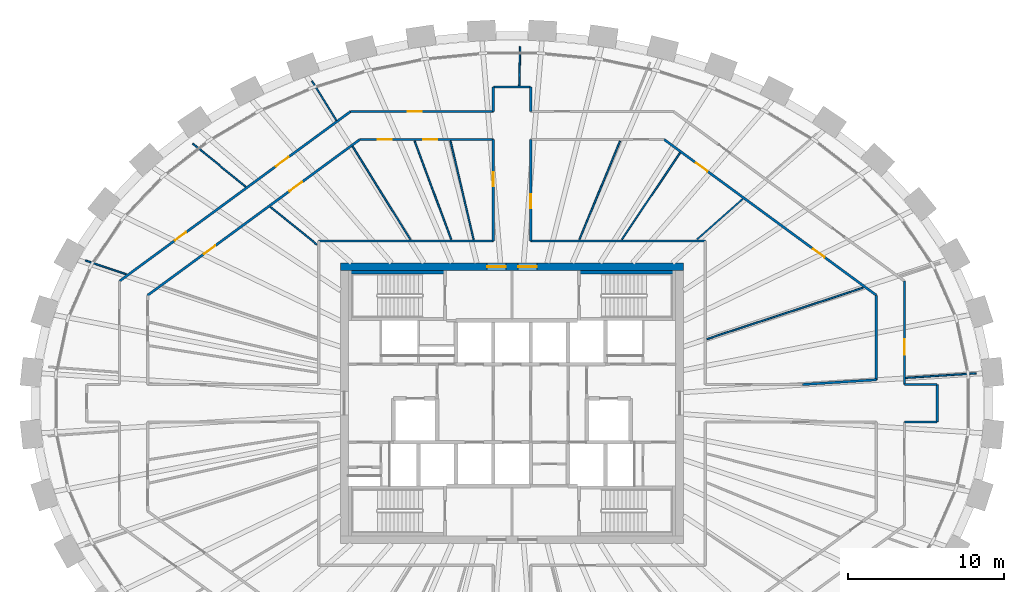
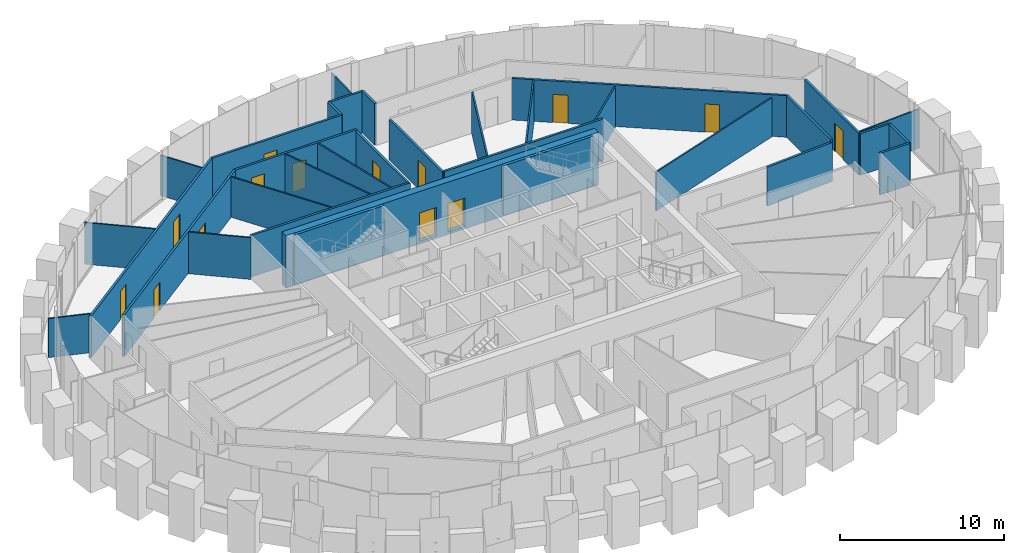
# One storey, part 10 of 12: 34 walls, 14 doors, 14 openings.
"""IFC4 building model written with IfcOpenShell, lengths in metres."""

import ifcopenshell
import ifcopenshell.guid

model = None  # the IFC model being written
_history = None  # IfcOwnerHistory: only IFC2X3 demands one
_inside = {}  # id of a spatial element -> (the spatial element, [elements in it])
_under = {}  # id of a project, library or spatial element -> (it, [spatial elements below it])
_declared = {}  # id of a project -> (the project, [libraries it declares])
_typed = {}  # id of a type object -> (the type object, [elements of that type])
_made_of = {}  # id of a material, layer set ... -> (it, [elements and type objects made of it])


def new_model(schema):
    """Start an empty IFC model of exactly this schema.

    Asked for "IFC4X3", IfcOpenShell would pick the latest addendum, in which some entities
    have other attributes; the version numbers below select the first issue.
    IFC2X3 requires an IfcOwnerHistory on every rooted entity: one is made here for all.
    """
    global model, _history
    if schema == "IFC4X3":
        model = ifcopenshell.file(schema_version=(4, 3, 0, 0))
    else:
        model = ifcopenshell.file(schema=schema)
    _inside.clear()
    _under.clear()
    _declared.clear()
    _typed.clear()
    _made_of.clear()
    _history = None
    if model.schema == "IFC2X3":
        org = make("IfcOrganization", Name="unknown")
        user = make(
            "IfcPersonAndOrganization",
            ThePerson=make("IfcPerson", FamilyName="unknown"),
            TheOrganization=org,
        )
        app = make(
            "IfcApplication",
            ApplicationDeveloper=org,
            Version="unknown",
            ApplicationFullName="unknown",
            ApplicationIdentifier="unknown",
        )
        _history = make(
            "IfcOwnerHistory",
            OwningUser=user,
            OwningApplication=app,
            ChangeAction="ADDED",
            CreationDate=0,
        )
    return model


def make(cls, **values):
    """One entity of the class cls with the attributes given. An attribute that is None is left unset."""
    return model.create_entity(
        cls, **{name: value for name, value in values.items() if value is not None}
    )


def rooted(cls, **values):
    """An entity with a GlobalId (a new one), such as an element, a storey or a relation."""
    return make(cls, GlobalId=ifcopenshell.guid.new(), OwnerHistory=_history, **values)


def si_unit(unit_type, name, prefix=None):
    """IfcSIUnit, for example si_unit("LENGTHUNIT", "METRE", prefix="MILLI")."""
    return make("IfcSIUnit", UnitType=unit_type, Prefix=prefix, Name=name)


def assignment(units):
    """IfcUnitAssignment: the units of a project."""
    return None if units is None else make("IfcUnitAssignment", Units=units)


def point(xyz):
    """IfcCartesianPoint."""
    return None if xyz is None else make("IfcCartesianPoint", Coordinates=xyz)


def direction(xyz):
    """IfcDirection."""
    return None if xyz is None else make("IfcDirection", DirectionRatios=xyz)


def frame(location, z_axis=None, x_axis=None):
    """IfcAxis2Placement3D, a coordinate frame: its origin and axes. An axis left out is left unset."""
    return make(
        "IfcAxis2Placement3D",
        Location=point(location),
        Axis=direction(z_axis),
        RefDirection=direction(x_axis),
    )


def frame_2d(location, x_axis=None):
    """IfcAxis2Placement2D, a coordinate frame in the plane: its origin and x axis."""
    return make(
        "IfcAxis2Placement2D", Location=point(location), RefDirection=direction(x_axis)
    )


def origin():
    """The frame at (0, 0, 0) with its axes left unset."""
    return frame((0.0, 0.0, 0.0))


def place(relative_to, where):
    """IfcLocalPlacement: puts the frame where relative to a parent placement (None: the world)."""
    return make(
        "IfcLocalPlacement", PlacementRelTo=relative_to, RelativePlacement=where
    )


def context(
    kind, dimensions, precision=None, world=None, true_north=None, identifier=None
):
    """IfcGeometricRepresentationContext, for example the 3D "Model" context."""
    return make(
        "IfcGeometricRepresentationContext",
        ContextIdentifier=identifier,
        ContextType=kind,
        CoordinateSpaceDimension=dimensions,
        Precision=precision,
        WorldCoordinateSystem=world,
        TrueNorth=true_north,
    )


def subcontext(parent, identifier, kind, view, scale=None):
    """IfcGeometricRepresentationSubContext, for example "Body" below "Model"."""
    return make(
        "IfcGeometricRepresentationSubContext",
        ContextIdentifier=identifier,
        ContextType=kind,
        ParentContext=parent,
        TargetScale=scale,
        TargetView=view,
    )


def project(units=None, contexts=None):
    """IfcProject with its units and contexts."""
    return rooted(
        "IfcProject",
        Name="project",
        RepresentationContexts=contexts,
        UnitsInContext=assignment(units),
    )


def spatial(cls, under=None, at=None, **own):
    """A site, building, storey or space (cls), placed at a placement, below another one or the project."""
    s = rooted(cls, ObjectPlacement=at, **own)
    if under is not None:
        _under.setdefault(under.id(), (under, []))[1].append(s)
    return s


def profile(cls, at=None, kind="AREA", **sizes):
    """A parametric profile (cls). Its sizes go by their IFC names, for example OverallWidth=200.0."""
    return make(cls, ProfileType=kind, Position=at, **sizes)


def rectangle(**sizes):
    """IfcRectangleProfileDef."""
    return profile("IfcRectangleProfileDef", **sizes)


def extrude(swept, where, along, depth):
    """IfcExtrudedAreaSolid: the profile swept, set in the frame where, extruded along a direction by depth."""
    return make(
        "IfcExtrudedAreaSolid",
        SweptArea=swept,
        Position=where,
        ExtrudedDirection=direction(along),
        Depth=depth,
    )


def shape(context_of_items, identifier, shape_type, items):
    """IfcShapeRepresentation: the items that make up one representation, for example the "Body"."""
    return make(
        "IfcShapeRepresentation",
        ContextOfItems=context_of_items,
        RepresentationIdentifier=identifier,
        RepresentationType=shape_type,
        Items=items,
    )


def source(mapping_origin, context_of_items, identifier, shape_type, items):
    """IfcRepresentationMap: a shape defined once, which mapped items show again and again."""
    return make(
        "IfcRepresentationMap",
        MappingOrigin=mapping_origin,
        MappedRepresentation=shape(context_of_items, identifier, shape_type, items),
    )


def transform(
    local_origin,
    x_axis=None,
    y_axis=None,
    z_axis=None,
    scale=None,
    scale2=None,
    scale3=None,
    uniform=True,
):
    """IfcCartesianTransformationOperator3D, or its non-uniform kind. x_axis, y_axis, z_axis: its Axis1, 2, 3."""
    if uniform:
        return make(
            "IfcCartesianTransformationOperator3D",
            Axis1=direction(x_axis),
            Axis2=direction(y_axis),
            LocalOrigin=point(local_origin),
            Scale=scale,
            Axis3=direction(z_axis),
        )
    return make(
        "IfcCartesianTransformationOperator3DnonUniform",
        Axis1=direction(x_axis),
        Axis2=direction(y_axis),
        LocalOrigin=point(local_origin),
        Scale=scale,
        Axis3=direction(z_axis),
        Scale2=scale2,
        Scale3=scale3,
    )


def mapped(mapping_source, mapping_target):
    """IfcMappedItem: shows the shape of a source again, moved by a transform."""
    return make(
        "IfcMappedItem", MappingSource=mapping_source, MappingTarget=mapping_target
    )


def material(Name=None, Category=None):
    """IfcMaterial."""
    return make("IfcMaterial", Name=Name, Category=Category)


def layer(
    of_material, thickness, ventilated=None, Name=None, Category=None, Priority=None
):
    """IfcMaterialLayer: one layer of a wall or slab, of a material (None: an air gap)."""
    return make(
        "IfcMaterialLayer",
        Material=of_material,
        LayerThickness=thickness,
        IsVentilated=ventilated,
        Name=Name,
        Category=Category,
        Priority=Priority,
    )


def layer_set(layers, Name=None):
    """IfcMaterialLayerSet."""
    return make("IfcMaterialLayerSet", MaterialLayers=layers, LayerSetName=Name)


def made_of(thing, what):
    """Note that an element or type object is made of a material, layer set ...; save() writes the relation."""
    if what is not None:
        _made_of.setdefault(what.id(), (what, []))[1].append(thing)
    return thing


def type_object(cls, material=None, **own):
    """A type object (cls), such as IfcWallType, which elements share."""
    return made_of(rooted(cls, **own), material)


def element(
    cls,
    number,
    at=None,
    inside=None,
    cuts=None,
    type_object=None,
    material=None,
    context=None,
    identifier="Body",
    shape_type=None,
    held_by="IfcProductDefinitionShape",
    body=None,
    shapes=None,
    **own,
):
    """One element of the class cls, such as IfcWall. Its Tag is "e" and its number.

    at: its placement. inside: the storey or other place that contains it. cuts: it is an
    opening in that element (IfcRelVoidsElement). A single representation is given by context,
    identifier, shape_type and body (its items); several are given by shapes. held_by: the class
    of the entity that holds the representations. save() writes the other relations.
    """
    e = rooted(cls, Tag="e%d" % number, ObjectPlacement=at, **own)
    if body is not None:
        shapes = [shape(context, identifier, shape_type, body)]
    if shapes is not None:
        e.Representation = make(held_by, Representations=shapes)
    if inside is not None:
        _inside.setdefault(inside.id(), (inside, []))[1].append(e)
    if cuts is not None:
        rooted(
            "IfcRelVoidsElement", RelatingBuildingElement=cuts, RelatedOpeningElement=e
        )
    if type_object is not None:
        _typed.setdefault(type_object.id(), (type_object, []))[1].append(e)
    return made_of(e, material)


def fill(opening, filler):
    """IfcRelFillsElement: the door or window that sits in an opening."""
    return rooted(
        "IfcRelFillsElement",
        RelatingOpeningElement=opening,
        RelatedBuildingElement=filler,
    )


def aggregate(whole, parts):
    """IfcRelAggregates: a whole, such as a stair, and the parts it consists of."""
    return rooted("IfcRelAggregates", RelatingObject=whole, RelatedObjects=parts)


def save(model, path):
    """Write the relations noted so far, then the file.

    IfcRelAggregates (storeys below a building ...), IfcRelContainedInSpatialStructure (elements
    in a storey), IfcRelDefinesByType, IfcRelAssociatesMaterial and IfcRelDeclares: one each for
    every whole, place, type object, material and project.
    """
    for whole, parts in _under.values():
        aggregate(whole, parts)
    for where, things in _inside.values():
        rooted(
            "IfcRelContainedInSpatialStructure",
            RelatedElements=things,
            RelatingStructure=where,
        )
    for kind, things in _typed.values():
        rooted("IfcRelDefinesByType", RelatedObjects=things, RelatingType=kind)
    for what, things in _made_of.values():
        rooted("IfcRelAssociatesMaterial", RelatedObjects=things, RelatingMaterial=what)
    for by, libraries in _declared.values():
        rooted("IfcRelDeclares", RelatingContext=by, RelatedDefinitions=libraries)
    model.write(path)


model = new_model("IFC4")

# Units and contexts
model_context = context("Model", 3, precision=1e-05, world=origin(), true_north=direction((0.0, 1.0)))
body_context = subcontext(model_context, "Body", "Model", "MODEL_VIEW")
ifc_project = project(units=[si_unit("LENGTHUNIT", "METRE"), si_unit("AREAUNIT", "SQUARE_METRE"), si_unit("VOLUMEUNIT", "CUBIC_METRE"), si_unit("PLANEANGLEUNIT", "RADIAN"), si_unit("MASSUNIT", "GRAM", prefix="KILO")], contexts=[model_context])

# Site, building, storey
site_placement = place(None, origin())
site = spatial("IfcSite", under=ifc_project, at=site_placement, CompositionType="ELEMENT")
building_placement = place(site_placement, origin())
building = spatial("IfcBuilding", under=site, at=building_placement, Name="Embergate Tower", CompositionType="ELEMENT")
storey_placement = place(building_placement, frame((0.0, 0.0, 301.300048828125)))
storey = spatial("IfcBuildingStorey", under=building, at=storey_placement, Name="L70", CompositionType="ELEMENT", Elevation=301.300048828125)

# Wall, openings, doors
ifc_material_1 = material(Name="Concrete C50", Category="concrete")
ifc_layer_1 = layer(ifc_material_1, 0.5)
ifc_layer_set_1 = layer_set([ifc_layer_1], Name="Concrete C50")
wall_type_1 = type_object("IfcWallType", Name="Core outer wall C50 500", PredefinedType="SHEAR", material=ifc_layer_set_1)
shared_shape_1 = source(origin(), body_context, "Body", "SweptSolid", [
    extrude(rectangle(XDim=22.0, YDim=0.5, at=frame_2d((11.0, 0.0))), origin(), (0.0, 0.0, 1.0), 3.89990234375),
])
wall_1_placement = place(storey_placement, frame((-11.0, 8.75, -0.199951171875), z_axis=(0.0, 0.0, 1.0), x_axis=(1.0, 0.0, 0.0)))
wall_1 = element("IfcWall", 1, at=wall_1_placement, inside=storey, type_object=wall_type_1, Name="CW-L70-N", PredefinedType="SHEAR", context=body_context, shape_type="MappedRepresentation", body=[
    mapped(shared_shape_1, transform((0.0, 0.0, 0.0))),
])
shared_shape_2 = source(origin(), body_context, "Body", "SweptSolid", [
    extrude(rectangle(XDim=1.199951171875, YDim=2.10009765625, at=frame_2d((0.60009765625, 1.050048828125))), frame((0.0, 0.260009765625, 0.0), z_axis=(0.0, -1.0, 0.0), x_axis=(1.0, 0.0, 0.0)), (0.0, 0.0, 1.0), 0.52001953125),
])
opening_1_placement = place(wall_1_placement, frame((9.39990234375, 0.0, 0.199951171875)))
opening_1 = element("IfcOpeningElement", 2, at=opening_1_placement, cuts=wall_1, Name="Opening IF-1", PredefinedType="OPENING", context=body_context, shape_type="MappedRepresentation", body=[
    mapped(shared_shape_2, transform((0.0, 0.0, 0.0))),
])
opening_2_placement = place(wall_1_placement, frame((11.39990234375, 0.0, 0.199951171875)))
opening_2 = element("IfcOpeningElement", 3, at=opening_2_placement, cuts=wall_1, Name="Opening IF-1", PredefinedType="OPENING", context=body_context, shape_type="MappedRepresentation", body=[
    mapped(shared_shape_2, transform((0.0, 0.0, 0.0))),
])
ifc_material_2 = material(Name="Escape fire door 1200")
door_type_1 = type_object("IfcDoorType", Name="Escape fire door 1200", OperationType="SINGLE_SWING_LEFT", PredefinedType="DOOR", material=ifc_material_2)
shared_shape_3 = source(origin(), body_context, "Body", "SweptSolid", [
    extrude(rectangle(XDim=1.199951171875, YDim=2.10009765625, at=frame_2d((0.60009765625, 1.050048828125))), frame((0.0, 0.02490234375, 0.0), z_axis=(0.0, -1.0, 0.0), x_axis=(1.0, 0.0, 0.0)), (0.0, 0.0, 1.0), 0.050048828125),
])
door_1_placement = place(opening_1_placement, origin())
door_1 = element("IfcDoor", 4, at=door_1_placement, inside=storey, type_object=door_type_1, Name="IF-1 door", OperationType="SINGLE_SWING_LEFT", OverallHeight=2.10009765625, OverallWidth=1.199951171875, PredefinedType="DOOR", context=body_context, shape_type="MappedRepresentation", body=[
    mapped(shared_shape_3, transform((0.0, 0.0, 0.0))),
])
fill(opening_1, door_1)
door_2_placement = place(opening_2_placement, origin())
door_2 = element("IfcDoor", 5, at=door_2_placement, inside=storey, type_object=door_type_1, Name="IF-1 door", OperationType="SINGLE_SWING_RIGHT", OverallHeight=2.10009765625, OverallWidth=1.199951171875, PredefinedType="DOOR", context=body_context, shape_type="MappedRepresentation", body=[
    mapped(shared_shape_3, transform((0.0, 0.0, 0.0))),
])
fill(opening_2, door_2)

# Walls
ifc_material_3 = material(Name="Corridor wall dry-lined 150")
ifc_layer_2 = layer(ifc_material_3, 0.14990234375)
ifc_layer_set_2 = layer_set([ifc_layer_2], Name="Corridor wall dry-lined 150")
wall_type_2 = type_object("IfcWallType", Name="Corridor wall dry-lined 150", PredefinedType="PARTITIONING", material=ifc_layer_set_2)
shared_shape_4 = source(origin(), body_context, "Body", "SweptSolid", [
    extrude(rectangle(XDim=2.39990234375, YDim=0.14990234375, at=frame_2d((1.199951171875, 0.0))), origin(), (0.0, 0.0, 1.0), 3.099853515625),
])
wall_2_placement = place(storey_placement, frame((27.264892578125, 1.199951171875, 0.0), z_axis=(0.0, 0.0, 1.0), x_axis=(0.0, -1.0, 0.0)))
element("IfcWall", 6, at=wall_2_placement, inside=storey, type_object=wall_type_2, Name="IP-2 wall", PredefinedType="PARTITIONING", context=body_context, shape_type="MappedRepresentation", body=[
    mapped(shared_shape_4, transform((0.0, 0.0, 0.0))),
])
ifc_material_4 = material(Name="Corridor wall dry-lined 150 wet")
ifc_layer_3 = layer(ifc_material_4, 0.14990234375)
ifc_layer_set_3 = layer_set([ifc_layer_3], Name="Corridor wall dry-lined 150 wet")
wall_type_3 = type_object("IfcWallType", Name="Corridor wall dry-lined 150 wet", PredefinedType="PLUMBINGWALL", material=ifc_layer_set_3)
wall_3_placement = place(storey_placement, frame((-1.199951171875, 20.281005859375, 0.0), z_axis=(0.0, 0.0, 1.0), x_axis=(1.0, 0.0, 0.0)))
element("IfcWall", 7, at=wall_3_placement, inside=storey, type_object=wall_type_3, Name="IP-2 wall", PredefinedType="PLUMBINGWALL", context=body_context, shape_type="MappedRepresentation", body=[
    mapped(shared_shape_4, transform((0.0, 0.0, 0.0))),
])
shared_shape_5 = source(origin(), body_context, "Body", "SweptSolid", [
    extrude(rectangle(XDim=11.199951171875, YDim=0.14990234375, at=frame_2d((5.60009765625, 0.0))), origin(), (0.0, 0.0, 1.0), 3.099853515625),
])
wall_4_placement = place(storey_placement, frame((12.39990234375, 10.39990234375, 0.0), z_axis=(0.0, 0.0, 1.0), x_axis=(-1.0, 0.0, 0.0)))
element("IfcWall", 8, at=wall_4_placement, inside=storey, type_object=wall_type_2, Name="IP-2 wall", PredefinedType="PARTITIONING", context=body_context, shape_type="MappedRepresentation", body=[
    mapped(shared_shape_5, transform((0.0, 0.0, 0.0))),
])
wall_5_placement = place(storey_placement, frame((-12.39990234375, 10.39990234375, 0.0), z_axis=(0.0, 0.0, 1.0), x_axis=(1.0, 0.0, 0.0)))
element("IfcWall", 9, at=wall_5_placement, inside=storey, type_object=wall_type_3, Name="IP-2 wall", PredefinedType="PLUMBINGWALL", context=body_context, shape_type="MappedRepresentation", body=[
    mapped(shared_shape_5, transform((0.0, 0.0, 0.0))),
])
ifc_layer_4 = layer(ifc_material_1, 0.199951171875)
ifc_layer_set_4 = layer_set([ifc_layer_4], Name="Concrete C50")
wall_type_4 = type_object("IfcWallType", Name="Stair enclosure wall reinforced concrete 250", PredefinedType="SHEAR", material=ifc_layer_set_4)
shared_shape_6 = source(origin(), body_context, "Body", "SweptSolid", [
    extrude(rectangle(XDim=6.298095703125, YDim=0.199951171875, at=frame_2d((3.14892578125, 0.0))), origin(), (0.0, 0.0, 1.0), 3.699951171875),
])
for number, where, z_axis, x_axis, name in (
    (10, (-4.201904296875, 8.39990234375, 0.0), (0.0, 0.0, 1.0), (-1.0, 0.0, 0.0), "SE-1 wall"),
    (11, (10.5, 8.39990234375, 0.0), (0.0, 0.0, 1.0), (-1.0, 0.0, 0.0), "SE-1 wall"),
):
    element("IfcWall", number, at=place(storey_placement, frame(where, z_axis=z_axis, x_axis=x_axis)), inside=storey, type_object=wall_type_4, Name=name, PredefinedType="SHEAR", context=body_context, shape_type="MappedRepresentation", body=[
        mapped(shared_shape_6, transform((0.0, 0.0, 0.0))),
    ])

# Wall, opening, door
shared_shape_7 = source(origin(), body_context, "Body", "SweptSolid", [
    extrude(rectangle(XDim=6.51318359375, YDim=0.14990234375, at=frame_2d((3.256591796875, 0.0))), origin(), (0.0, 0.0, 1.0), 3.0),
])
wall_6_placement = place(storey_placement, frame((-1.199951171875, 10.39990234375, 0.0), z_axis=(0.0, 0.0, 1.0), x_axis=(0.0, 1.0, 0.0)))
wall_6 = element("IfcWall", 12, at=wall_6_placement, inside=storey, type_object=wall_type_3, Name="IP-2 wall", PredefinedType="PLUMBINGWALL", context=body_context, shape_type="MappedRepresentation", body=[
    mapped(shared_shape_7, transform((0.0, 0.0, 0.0))),
])
shared_shape_8 = source(origin(), body_context, "Body", "SweptSolid", [
    extrude(rectangle(XDim=0.89990234375, YDim=2.10009765625, at=frame_2d((0.449951171875, 1.050048828125))), frame((0.0, 0.0849609375, 0.0), z_axis=(0.0, -1.0, 0.0), x_axis=(1.0, 0.0, 0.0)), (0.0, 0.0, 1.0), 0.169921875),
])
opening_3_placement = place(wall_6_placement, frame((3.509033203125, 0.0, 0.0)))
opening_3 = element("IfcOpeningElement", 13, at=opening_3_placement, cuts=wall_6, Name="Opening IF-1c", PredefinedType="OPENING", context=body_context, shape_type="MappedRepresentation", body=[
    mapped(shared_shape_8, transform((0.0, 0.0, 0.0))),
])
ifc_material_5 = material(Name="Escape fire door 900")
door_type_2 = type_object("IfcDoorType", Name="Escape fire door 900", OperationType="SINGLE_SWING_LEFT", PredefinedType="DOOR", material=ifc_material_5)
shared_shape_9 = source(origin(), body_context, "Body", "SweptSolid", [
    extrude(rectangle(XDim=0.89990234375, YDim=2.10009765625, at=frame_2d((0.449951171875, 1.050048828125))), frame((0.0, 0.02490234375, 0.0), z_axis=(0.0, -1.0, 0.0), x_axis=(1.0, 0.0, 0.0)), (0.0, 0.0, 1.0), 0.050048828125),
])
door_3_placement = place(opening_3_placement, origin())
door_3 = element("IfcDoor", 14, at=door_3_placement, inside=storey, type_object=door_type_2, Name="IF-1 door", OperationType="SINGLE_SWING_RIGHT", OverallHeight=2.10009765625, OverallWidth=0.89990234375, PredefinedType="DOOR", context=body_context, shape_type="MappedRepresentation", body=[
    mapped(shared_shape_9, transform((0.0, 0.0, 0.0))),
])
fill(opening_3, door_3)

wall_7_placement = place(storey_placement, frame((1.199951171875, 16.9130859375, 0.0), z_axis=(0.0, 0.0, 1.0), x_axis=(0.0, -1.0, 0.0)))
wall_7 = element("IfcWall", 15, at=wall_7_placement, inside=storey, type_object=wall_type_3, Name="IP-2 wall", PredefinedType="PLUMBINGWALL", context=body_context, shape_type="MappedRepresentation", body=[
    mapped(shared_shape_7, transform((0.0, 0.0, 0.0))),
])
opening_4_placement = place(wall_7_placement, frame((3.50830078125, 0.0, 0.0)))
opening_4 = element("IfcOpeningElement", 16, at=opening_4_placement, cuts=wall_7, Name="Opening IF-1c", PredefinedType="OPENING", context=body_context, shape_type="MappedRepresentation", body=[
    mapped(shared_shape_8, transform((0.0, 0.0, 0.0))),
])
door_4_placement = place(opening_4_placement, origin())
door_4 = element("IfcDoor", 17, at=door_4_placement, inside=storey, type_object=door_type_2, Name="IF-1 door", OperationType="SINGLE_SWING_LEFT", OverallHeight=2.10009765625, OverallWidth=0.89990234375, PredefinedType="DOOR", context=body_context, shape_type="MappedRepresentation", body=[
    mapped(shared_shape_9, transform((0.0, 0.0, 0.0))),
])
fill(opening_4, door_4)

# Walls
ifc_material_6 = material(Name="Partition dry-lined 100")
ifc_layer_5 = layer(ifc_material_6, 0.10009765625)
ifc_layer_set_5 = layer_set([ifc_layer_5], Name="Partition dry-lined 100")
wall_type_5 = type_object("IfcWallType", Name="Partition dry-lined 100", PredefinedType="PARTITIONING", material=ifc_layer_set_5)
shared_shape_10 = source(origin(), body_context, "Body", "SweptSolid", [
    extrude(rectangle(XDim=2.763671875, YDim=0.10009765625, at=frame_2d((1.3818359375, 0.0))), origin(), (0.0, 0.0, 1.0), 2.89990234375),
])
wall_8_placement = place(storey_placement, frame((-24.743896484375, 8.27294921875, 0.0), z_axis=(0.0, 0.0, 1.0), x_axis=(-0.948435651282, 0.316969738897, 0.0)))
element("IfcWall", 18, at=wall_8_placement, inside=storey, type_object=wall_type_5, Name="IP-1 wall", PredefinedType="PARTITIONING", context=body_context, shape_type="MappedRepresentation", body=[
    mapped(shared_shape_10, transform((0.0, 0.0, 0.0))),
])
ifc_material_7 = material(Name="Partition dry-lined 100 wet")
ifc_layer_6 = layer(ifc_material_7, 0.10009765625)
ifc_layer_set_6 = layer_set([ifc_layer_6], Name="Partition dry-lined 100 wet")
wall_type_6 = type_object("IfcWallType", Name="Partition dry-lined 100 wet", PredefinedType="PLUMBINGWALL", material=ifc_layer_set_6)
shared_shape_11 = source(origin(), body_context, "Body", "SweptSolid", [
    extrude(rectangle(XDim=2.969482421875, YDim=0.10009765625, at=frame_2d((1.48486328125, 0.0))), origin(), (0.0, 0.0, 1.0), 3.0),
])
wall_9_placement = place(storey_placement, frame((-11.259033203125, 18.135986328125, 0.0), z_axis=(0.0, 0.0, 1.0), x_axis=(-0.527350581852, 0.849647788098, 0.0)))
element("IfcWall", 19, at=wall_9_placement, inside=storey, type_object=wall_type_6, Name="IP-1 wall", PredefinedType="PLUMBINGWALL", context=body_context, shape_type="MappedRepresentation", body=[
    mapped(shared_shape_11, transform((0.0, 0.0, 0.0))),
])
shared_shape_12 = source(origin(), body_context, "Body", "SweptSolid", [
    extrude(rectangle(XDim=7.03125, YDim=0.10009765625, at=frame_2d((3.515625, 0.0))), origin(), (0.0, 0.0, 1.0), 3.0),
])
wall_10_placement = place(storey_placement, frame((-6.51904296875, 10.5009765625, 0.0), z_axis=(0.0, 0.0, 1.0), x_axis=(-0.527355947188, 0.849644457973, 0.0)))
element("IfcWall", 20, at=wall_10_placement, inside=storey, type_object=wall_type_6, Name="IP-1 wall", PredefinedType="PLUMBINGWALL", context=body_context, shape_type="MappedRepresentation", body=[
    mapped(shared_shape_12, transform((0.0, 0.0, 0.0))),
])
shared_shape_13 = source(origin(), body_context, "Body", "SweptSolid", [
    extrude(rectangle(XDim=10.56103515625, YDim=0.10009765625, at=frame_2d((5.280517578125, 0.0))), origin(), (0.0, 0.0, 1.0), 2.89990234375),
])
wall_11_placement = place(storey_placement, frame((12.490966796875, 4.111083984375, 0.0), z_axis=(0.0, 0.0, 1.0), x_axis=(0.949896803955, 0.312563692446, 0.0)))
element("IfcWall", 21, at=wall_11_placement, inside=storey, type_object=wall_type_5, Name="IP-1 wall", PredefinedType="PARTITIONING", context=body_context, shape_type="MappedRepresentation", body=[
    mapped(shared_shape_13, transform((0.0, 0.0, 0.0))),
])
shared_shape_14 = source(origin(), body_context, "Body", "SweptSolid", [
    extrude(rectangle(XDim=3.90966796875, YDim=0.10009765625, at=frame_2d((1.954833984375, 0.0))), origin(), (0.0, 0.0, 1.0), 3.0),
])
wall_12_placement = place(storey_placement, frame((11.8740234375, 10.511962890625, 0.0), z_axis=(0.0, 0.0, 1.0), x_axis=(0.748644851507, 0.662971256022, 0.0)))
element("IfcWall", 22, at=wall_12_placement, inside=storey, type_object=wall_type_6, Name="IP-1 wall", PredefinedType="PLUMBINGWALL", context=body_context, shape_type="MappedRepresentation", body=[
    mapped(shared_shape_14, transform((0.0, 0.0, 0.0))),
])

# Wall, openings, doors
shared_shape_15 = source(origin(), body_context, "Body", "SweptSolid", [
    extrude(rectangle(XDim=18.38427734375, YDim=0.14990234375, at=frame_2d((9.192138671875, 0.0))), origin(), (0.0, 0.0, 1.0), 3.099853515625),
])
wall_13_placement = place(storey_placement, frame((-25.166015625, 7.833984375, 0.0), z_axis=(0.0, 0.0, 1.0), x_axis=(0.80612330372, 0.591747597545, 0.0)))
wall_13 = element("IfcWall", 23, at=wall_13_placement, inside=storey, type_object=wall_type_3, Name="IP-2 wall", PredefinedType="PLUMBINGWALL", context=body_context, shape_type="MappedRepresentation", body=[
    mapped(shared_shape_15, transform((0.0, 0.0, 0.0))),
])
shared_shape_16 = source(origin(), body_context, "Body", "SweptSolid", [
    extrude(rectangle(XDim=1.0, YDim=2.10009765625, at=frame_2d((0.5, 1.050048828125))), frame((0.0, 0.0849609375, 0.0), z_axis=(0.0, -1.0, 0.0), x_axis=(1.0, 0.0, 0.0)), (0.0, 0.0, 1.0), 0.169921875),
])
opening_5_placement = place(wall_13_placement, frame((12.43115234375, 0.0, 0.0)))
opening_5 = element("IfcOpeningElement", 24, at=opening_5_placement, cuts=wall_13, Name="Opening ID-2", PredefinedType="OPENING", context=body_context, shape_type="MappedRepresentation", body=[
    mapped(shared_shape_16, transform((0.0, 0.0, 0.0))),
])
opening_6_placement = place(wall_13_placement, frame((4.39111328125, 0.0, 0.0)))
opening_6 = element("IfcOpeningElement", 25, at=opening_6_placement, cuts=wall_13, Name="Opening IF-1c", PredefinedType="OPENING", context=body_context, shape_type="MappedRepresentation", body=[
    mapped(shared_shape_8, transform((0.0, 0.0, 0.0))),
])
door_5_placement = place(opening_6_placement, origin())
door_5 = element("IfcDoor", 26, at=door_5_placement, inside=storey, type_object=door_type_2, Name="IF-1 door", OperationType="SINGLE_SWING_LEFT", OverallHeight=2.10009765625, OverallWidth=0.89990234375, PredefinedType="DOOR", context=body_context, shape_type="MappedRepresentation", body=[
    mapped(shared_shape_9, transform((0.0, 0.0, 0.0))),
])
fill(opening_6, door_5)
ifc_material_8 = material(Name="Interior door 1000")
door_type_3 = type_object("IfcDoorType", Name="Interior door 1000", OperationType="SINGLE_SWING_LEFT", PredefinedType="DOOR", material=ifc_material_8)
shared_shape_17 = source(origin(), body_context, "Body", "SweptSolid", [
    extrude(rectangle(XDim=1.0, YDim=2.10009765625, at=frame_2d((0.5, 1.050048828125))), frame((0.0, 0.02490234375, 0.0), z_axis=(0.0, -1.0, 0.0), x_axis=(1.0, 0.0, 0.0)), (0.0, 0.0, 1.0), 0.050048828125),
])
door_6_placement = place(opening_5_placement, origin())
door_6 = element("IfcDoor", 27, at=door_6_placement, inside=storey, type_object=door_type_3, Name="ID-2 door", OperationType="SINGLE_SWING_LEFT", OverallHeight=2.10009765625, OverallWidth=1.0, PredefinedType="DOOR", context=body_context, shape_type="MappedRepresentation", body=[
    mapped(shared_shape_17, transform((0.0, 0.0, 0.0))),
])
fill(opening_5, door_6)

shared_shape_18 = source(origin(), body_context, "Body", "SweptSolid", [
    extrude(rectangle(XDim=16.8828125, YDim=0.14990234375, at=frame_2d((8.44140625, 0.0))), origin(), (0.0, 0.0, 1.0), 3.099853515625),
])
wall_14_placement = place(storey_placement, frame((9.756103515625, 16.9130859375, 0.0), z_axis=(0.0, 0.0, 1.0), x_axis=(0.806138724475, -0.591726589653, 0.0)))
wall_14 = element("IfcWall", 28, at=wall_14_placement, inside=storey, type_object=wall_type_2, Name="IP-2 wall", PredefinedType="PARTITIONING", context=body_context, shape_type="MappedRepresentation", body=[
    mapped(shared_shape_18, transform((0.0, 0.0, 0.0))),
])
opening_7_placement = place(wall_14_placement, frame((11.855712890625, 0.0, 0.0)))
opening_7 = element("IfcOpeningElement", 29, at=opening_7_placement, cuts=wall_14, Name="Opening IF-1c", PredefinedType="OPENING", context=body_context, shape_type="MappedRepresentation", body=[
    mapped(shared_shape_8, transform((0.0, 0.0, 0.0))),
])
opening_8_placement = place(wall_14_placement, frame((2.535400390625, 0.0, 0.0)))
opening_8 = element("IfcOpeningElement", 30, at=opening_8_placement, cuts=wall_14, Name="Opening IF-1c", PredefinedType="OPENING", context=body_context, shape_type="MappedRepresentation", body=[
    mapped(shared_shape_8, transform((0.0, 0.0, 0.0))),
])
door_7_placement = place(opening_7_placement, origin())
door_7 = element("IfcDoor", 31, at=door_7_placement, inside=storey, type_object=door_type_2, Name="IF-1 door", OperationType="SINGLE_SWING_LEFT", OverallHeight=2.10009765625, OverallWidth=0.89990234375, PredefinedType="DOOR", context=body_context, shape_type="MappedRepresentation", body=[
    mapped(shared_shape_9, transform((0.0, 0.0, 0.0))),
])
fill(opening_7, door_7)
door_8_placement = place(opening_8_placement, origin())
door_8 = element("IfcDoor", 32, at=door_8_placement, inside=storey, type_object=door_type_2, Name="IF-1 door", OperationType="SINGLE_SWING_RIGHT", OverallHeight=2.10009765625, OverallWidth=0.89990234375, PredefinedType="DOOR", context=body_context, shape_type="MappedRepresentation", body=[
    mapped(shared_shape_9, transform((0.0, 0.0, 0.0))),
])
fill(opening_8, door_8)

wall_15_placement = place(storey_placement, frame((-9.756103515625, 16.9130859375, 0.0), z_axis=(0.0, 0.0, 1.0), x_axis=(-0.806138724475, -0.591726589653, 0.0)))
wall_15 = element("IfcWall", 33, at=wall_15_placement, inside=storey, type_object=wall_type_3, Name="IP-2 wall", PredefinedType="PLUMBINGWALL", context=body_context, shape_type="MappedRepresentation", body=[
    mapped(shared_shape_18, transform((0.0, 0.0, 0.0))),
])
opening_9_placement = place(wall_15_placement, frame((4.610595703125, 0.0, 0.0)))
opening_9 = element("IfcOpeningElement", 34, at=opening_9_placement, cuts=wall_15, Name="Opening ID-2", PredefinedType="OPENING", context=body_context, shape_type="MappedRepresentation", body=[
    mapped(shared_shape_16, transform((0.0, 0.0, 0.0))),
])
opening_10_placement = place(wall_15_placement, frame((11.504638671875, 0.0, 0.0)))
opening_10 = element("IfcOpeningElement", 35, at=opening_10_placement, cuts=wall_15, Name="Opening IF-1c", PredefinedType="OPENING", context=body_context, shape_type="MappedRepresentation", body=[
    mapped(shared_shape_8, transform((0.0, 0.0, 0.0))),
])
door_9_placement = place(opening_10_placement, origin())
door_9 = element("IfcDoor", 36, at=door_9_placement, inside=storey, type_object=door_type_2, Name="IF-1 door", OperationType="SINGLE_SWING_RIGHT", OverallHeight=2.10009765625, OverallWidth=0.89990234375, PredefinedType="DOOR", context=body_context, shape_type="MappedRepresentation", body=[
    mapped(shared_shape_9, transform((0.0, 0.0, 0.0))),
])
fill(opening_10, door_9)
door_10_placement = place(opening_9_placement, origin())
door_10 = element("IfcDoor", 37, at=door_10_placement, inside=storey, type_object=door_type_3, Name="ID-2 door", OperationType="SINGLE_SWING_LEFT", OverallHeight=2.10009765625, OverallWidth=1.0, PredefinedType="DOOR", context=body_context, shape_type="MappedRepresentation", body=[
    mapped(shared_shape_17, transform((0.0, 0.0, 0.0))),
])
fill(opening_9, door_10)

# Wall, opening, door
shared_shape_19 = source(origin(), body_context, "Body", "SweptSolid", [
    extrude(rectangle(XDim=9.14599609375, YDim=0.14990234375, at=frame_2d((4.572998046875, 0.0))), origin(), (0.0, 0.0, 1.0), 3.099853515625),
])
wall_16_placement = place(storey_placement, frame((-10.345947265625, 18.712890625, 0.0), z_axis=(0.0, 0.0, 1.0), x_axis=(1.0, 0.0, 0.0)))
wall_16 = element("IfcWall", 38, at=wall_16_placement, inside=storey, type_object=wall_type_3, Name="IP-2 wall", PredefinedType="PLUMBINGWALL", context=body_context, shape_type="MappedRepresentation", body=[
    mapped(shared_shape_19, transform((0.0, 0.0, 0.0))),
])
opening_11_placement = place(wall_16_placement, frame((3.6640625, 0.0, 0.0)))
opening_11 = element("IfcOpeningElement", 39, at=opening_11_placement, cuts=wall_16, Name="Opening IF-1c", PredefinedType="OPENING", context=body_context, shape_type="MappedRepresentation", body=[
    mapped(shared_shape_8, transform((0.0, 0.0, 0.0))),
])
door_11_placement = place(opening_11_placement, origin())
door_11 = element("IfcDoor", 40, at=door_11_placement, inside=storey, type_object=door_type_2, Name="IF-1 door", OperationType="SINGLE_SWING_RIGHT", OverallHeight=2.10009765625, OverallWidth=0.89990234375, PredefinedType="DOOR", context=body_context, shape_type="MappedRepresentation", body=[
    mapped(shared_shape_9, transform((0.0, 0.0, 0.0))),
])
fill(opening_11, door_11)

# Walls
shared_shape_20 = source(origin(), body_context, "Body", "SweptSolid", [
    extrude(rectangle(XDim=1.568115234375, YDim=0.14990234375, at=frame_2d((0.7841796875, 0.0))), origin(), (0.0, 0.0, 1.0), 3.099853515625),
])
for number, where, z_axis, x_axis, name in (
    (41, (1.199951171875, 20.281005859375, 0.0), (0.0, 0.0, 1.0), (0.0, -1.0, 0.0), "IP-2 wall"),
    (42, (-1.199951171875, 18.712890625, 0.0), (0.0, 0.0, 1.0), (0.0, 1.0, 0.0), "IP-2 wall"),
):
    element("IfcWall", number, at=place(storey_placement, frame(where, z_axis=z_axis, x_axis=x_axis)), inside=storey, type_object=wall_type_3, Name=name, PredefinedType="PLUMBINGWALL", context=body_context, shape_type="MappedRepresentation", body=[
        mapped(shared_shape_20, transform((0.0, 0.0, 0.0))),
    ])

# Wall, openings, doors
shared_shape_21 = source(origin(), body_context, "Body", "SweptSolid", [
    extrude(rectangle(XDim=8.55615234375, YDim=0.14990234375, at=frame_2d((4.278076171875, 0.0))), origin(), (0.0, 0.0, 1.0), 3.099853515625),
])
wall_17_placement = place(storey_placement, frame((-1.199951171875, 16.9130859375, 0.0), z_axis=(0.0, 0.0, 1.0), x_axis=(-1.0, 0.0, 0.0)))
wall_17 = element("IfcWall", 43, at=wall_17_placement, inside=storey, type_object=wall_type_3, Name="IP-2 wall", PredefinedType="PLUMBINGWALL", context=body_context, shape_type="MappedRepresentation", body=[
    mapped(shared_shape_21, transform((0.0, 0.0, 0.0))),
])
opening_12_placement = place(wall_17_placement, frame((3.5869140625, 0.0, 0.0)))
opening_12 = element("IfcOpeningElement", 44, at=opening_12_placement, cuts=wall_17, Name="Opening IF-1c", PredefinedType="OPENING", context=body_context, shape_type="MappedRepresentation", body=[
    mapped(shared_shape_8, transform((0.0, 0.0, 0.0))),
])
opening_13_placement = place(wall_17_placement, frame((6.507080078125, 0.0, 0.0)))
opening_13 = element("IfcOpeningElement", 45, at=opening_13_placement, cuts=wall_17, Name="Opening IF-1c", PredefinedType="OPENING", context=body_context, shape_type="MappedRepresentation", body=[
    mapped(shared_shape_8, transform((0.0, 0.0, 0.0))),
])
door_12_placement = place(opening_12_placement, origin())
door_12 = element("IfcDoor", 46, at=door_12_placement, inside=storey, type_object=door_type_2, Name="IF-1 door", OperationType="SINGLE_SWING_RIGHT", OverallHeight=2.10009765625, OverallWidth=0.89990234375, PredefinedType="DOOR", context=body_context, shape_type="MappedRepresentation", body=[
    mapped(shared_shape_9, transform((0.0, 0.0, 0.0))),
])
fill(opening_12, door_12)
door_13_placement = place(opening_13_placement, origin())
door_13 = element("IfcDoor", 47, at=door_13_placement, inside=storey, type_object=door_type_2, Name="IF-1 door", OperationType="SINGLE_SWING_RIGHT", OverallHeight=2.10009765625, OverallWidth=0.89990234375, PredefinedType="DOOR", context=body_context, shape_type="MappedRepresentation", body=[
    mapped(shared_shape_9, transform((0.0, 0.0, 0.0))),
])
fill(opening_13, door_13)

# Wall, opening, door
shared_shape_22 = source(origin(), body_context, "Body", "SweptSolid", [
    extrude(rectangle(XDim=6.634033203125, YDim=0.14990234375, at=frame_2d((3.31689453125, 0.0))), origin(), (0.0, 0.0, 1.0), 3.099853515625),
])
wall_18_placement = place(storey_placement, frame((25.166015625, 7.833984375, 0.0), z_axis=(0.0, 0.0, 1.0), x_axis=(0.0, -1.0, 0.0)))
wall_18 = element("IfcWall", 48, at=wall_18_placement, inside=storey, type_object=wall_type_2, Name="IP-2 wall", PredefinedType="PARTITIONING", context=body_context, shape_type="MappedRepresentation", body=[
    mapped(shared_shape_22, transform((0.0, 0.0, 0.0))),
])
opening_14_placement = place(wall_18_placement, frame((3.71630859375, 0.0, 0.0)))
opening_14 = element("IfcOpeningElement", 49, at=opening_14_placement, cuts=wall_18, Name="Opening ID-2", PredefinedType="OPENING", context=body_context, shape_type="MappedRepresentation", body=[
    mapped(shared_shape_16, transform((0.0, 0.0, 0.0))),
])
door_14_placement = place(opening_14_placement, origin())
door_14 = element("IfcDoor", 50, at=door_14_placement, inside=storey, type_object=door_type_3, Name="ID-2 door", OperationType="SINGLE_SWING_RIGHT", OverallHeight=2.10009765625, OverallWidth=1.0, PredefinedType="DOOR", context=body_context, shape_type="MappedRepresentation", body=[
    mapped(shared_shape_17, transform((0.0, 0.0, 0.0))),
])
fill(opening_14, door_14)

# Walls
shared_shape_23 = source(origin(), body_context, "Body", "SweptSolid", [
    extrude(rectangle(XDim=2.098876953125, YDim=0.14990234375, at=frame_2d((1.04931640625, 0.0))), origin(), (0.0, 0.0, 1.0), 3.099853515625),
])
for number, where, z_axis, x_axis, name in (
    (51, (25.166015625, 1.199951171875, 0.0), (0.0, 0.0, 1.0), (1.0, 0.0, 0.0), "IP-2 wall"),
    (52, (27.264892578125, -1.199951171875, 0.0), (0.0, 0.0, 1.0), (-1.0, 0.0, 0.0), "IP-2 wall"),
):
    element("IfcWall", number, at=place(storey_placement, frame(where, z_axis=z_axis, x_axis=x_axis)), inside=storey, type_object=wall_type_2, Name=name, PredefinedType="PARTITIONING", context=body_context, shape_type="MappedRepresentation", body=[
        mapped(shared_shape_23, transform((0.0, 0.0, 0.0))),
    ])
shared_shape_24 = source(origin(), body_context, "Body", "SweptSolid", [
    extrude(rectangle(XDim=5.418212890625, YDim=0.14990234375, at=frame_2d((2.708984375, 0.0))), origin(), (0.0, 0.0, 1.0), 3.099853515625),
])
wall_19_placement = place(storey_placement, frame((23.365966796875, 6.923095703125, 0.0), z_axis=(0.0, 0.0, 1.0), x_axis=(0.0, -1.0, 0.0)))
element("IfcWall", 53, at=wall_19_placement, inside=storey, type_object=wall_type_2, Name="IP-2 wall", PredefinedType="PARTITIONING", context=body_context, shape_type="MappedRepresentation", body=[
    mapped(shared_shape_24, transform((0.0, 0.0, 0.0))),
])
shared_shape_25 = source(origin(), body_context, "Body", "SweptSolid", [
    extrude(rectangle(XDim=4.750732421875, YDim=0.14990234375, at=frame_2d((2.37548828125, 0.0))), origin(), (0.0, 0.0, 1.0), 2.89990234375),
])
wall_20_placement = place(storey_placement, frame((23.365966796875, 1.5048828125, 0.0), z_axis=(0.0, 0.0, 1.0), x_axis=(-0.997937964, -0.06418582404, 0.0)))
element("IfcWall", 54, at=wall_20_placement, inside=storey, type_object=wall_type_2, Name="IP-2 wall", PredefinedType="PARTITIONING", context=body_context, shape_type="MappedRepresentation", body=[
    mapped(shared_shape_25, transform((0.0, 0.0, 0.0))),
])
shared_shape_26 = source(origin(), body_context, "Body", "SweptSolid", [
    extrude(rectangle(XDim=4.52734375, YDim=0.10009765625, at=frame_2d((2.263671875, 0.0))), origin(), (0.0, 0.0, 1.0), 2.89990234375),
])
wall_21_placement = place(storey_placement, frame((25.240966796875, 1.6259765625, 0.0), z_axis=(0.0, 0.0, 1.0), x_axis=(0.997932009228, 0.064278339728, 0.0)))
element("IfcWall", 55, at=wall_21_placement, inside=storey, type_object=wall_type_5, Name="IP-1 wall", PredefinedType="PARTITIONING", context=body_context, shape_type="MappedRepresentation", body=[
    mapped(shared_shape_26, transform((0.0, 0.0, 0.0))),
])
shared_shape_27 = source(origin(), body_context, "Body", "SweptSolid", [
    extrude(rectangle(XDim=2.520751953125, YDim=0.10009765625, at=frame_2d((1.26025390625, 0.0))), origin(), (0.0, 0.0, 1.0), 3.099853515625),
])
wall_22_placement = place(storey_placement, frame((0.465087890625, 20.35595703125, 0.0), z_axis=(0.0, 0.0, 1.0), x_axis=(0.022954616587, 0.999736508075, 0.0)))
element("IfcWall", 56, at=wall_22_placement, inside=storey, type_object=wall_type_6, Name="IP-1 wall", PredefinedType="PLUMBINGWALL", context=body_context, shape_type="MappedRepresentation", body=[
    mapped(shared_shape_27, transform((0.0, 0.0, 0.0))),
])
shared_shape_28 = source(origin(), body_context, "Body", "SweptSolid", [
    extrude(rectangle(XDim=6.512939453125, YDim=0.10009765625, at=frame_2d((3.25634765625, 0.0))), origin(), (0.0, 0.0, 1.0), 3.099853515625),
])
wall_23_placement = place(storey_placement, frame((-2.458984375, 10.486083984375, 0.0), z_axis=(0.0, 0.0, 1.0), x_axis=(-0.228326793912, 0.97358454958, 0.0)))
element("IfcWall", 57, at=wall_23_placement, inside=storey, type_object=wall_type_6, Name="IP-1 wall", PredefinedType="PLUMBINGWALL", context=body_context, shape_type="MappedRepresentation", body=[
    mapped(shared_shape_28, transform((0.0, 0.0, 0.0))),
])
shared_shape_29 = source(origin(), body_context, "Body", "SweptSolid", [
    extrude(rectangle(XDim=6.751220703125, YDim=0.10009765625, at=frame_2d((3.37548828125, 0.0))), origin(), (0.0, 0.0, 1.0), 3.099853515625),
])
wall_24_placement = place(storey_placement, frame((-3.89599609375, 10.491943359375, 0.0), z_axis=(0.0, 0.0, 1.0), x_axis=(-0.348093918302, 0.937459665288, 0.0)))
element("IfcWall", 58, at=wall_24_placement, inside=storey, type_object=wall_type_6, Name="IP-1 wall", PredefinedType="PLUMBINGWALL", context=body_context, shape_type="MappedRepresentation", body=[
    mapped(shared_shape_29, transform((0.0, 0.0, 0.0))),
])
shared_shape_30 = source(origin(), body_context, "Body", "SweptSolid", [
    extrude(rectangle(XDim=6.70166015625, YDim=0.10009765625, at=frame_2d((3.350830078125, 0.0))), origin(), (0.0, 0.0, 1.0), 3.099853515625),
])
wall_25_placement = place(storey_placement, frame((7.047119140625, 10.5029296875, 0.0), z_axis=(0.0, 0.0, 1.0), x_axis=(0.557152569059, 0.830410148536, 0.0)))
element("IfcWall", 59, at=wall_25_placement, inside=storey, type_object=wall_type_6, Name="IP-1 wall", PredefinedType="PLUMBINGWALL", context=body_context, shape_type="MappedRepresentation", body=[
    mapped(shared_shape_30, transform((0.0, 0.0, 0.0))),
])
shared_shape_31 = source(origin(), body_context, "Body", "SweptSolid", [
    extrude(rectangle(XDim=6.841064453125, YDim=0.10009765625, at=frame_2d((3.42041015625, 0.0))), origin(), (0.0, 0.0, 1.0), 3.099853515625),
])
wall_26_placement = place(storey_placement, frame((4.322998046875, 10.493896484375, 0.0), z_axis=(0.0, 0.0, 1.0), x_axis=(0.380932883168, 0.924602692253, 0.0)))
element("IfcWall", 60, at=wall_26_placement, inside=storey, type_object=wall_type_6, Name="IP-1 wall", PredefinedType="PLUMBINGWALL", context=body_context, shape_type="MappedRepresentation", body=[
    mapped(shared_shape_31, transform((0.0, 0.0, 0.0))),
])
shared_shape_32 = source(origin(), body_context, "Body", "SweptSolid", [
    extrude(rectangle(XDim=4.380126953125, YDim=0.10009765625, at=frame_2d((2.18994140625, 0.0))), origin(), (0.0, 0.0, 1.0), 3.099853515625),
])
wall_27_placement = place(storey_placement, frame((-17.073974609375, 13.883056640625, 0.0), z_axis=(0.0, 0.0, 1.0), x_axis=(-0.775769485548, 0.631016406516, 0.0)))
element("IfcWall", 61, at=wall_27_placement, inside=storey, type_object=wall_type_5, Name="IP-1 wall", PredefinedType="PARTITIONING", context=body_context, shape_type="MappedRepresentation", body=[
    mapped(shared_shape_32, transform((0.0, 0.0, 0.0))),
])
shared_shape_33 = source(origin(), body_context, "Body", "SweptSolid", [
    extrude(rectangle(XDim=3.844970703125, YDim=0.10009765625, at=frame_2d((1.92236328125, 0.0))), origin(), (0.0, 0.0, 1.0), 3.099853515625),
])
wall_28_placement = place(storey_placement, frame((-12.507080078125, 10.1689453125, 0.0), z_axis=(0.0, 0.0, 1.0), x_axis=(-0.775807030677, 0.630970245853, 0.0)))
element("IfcWall", 62, at=wall_28_placement, inside=storey, type_object=wall_type_5, Name="IP-1 wall", PredefinedType="PARTITIONING", context=body_context, shape_type="MappedRepresentation", body=[
    mapped(shared_shape_33, transform((0.0, 0.0, 0.0))),
])

save(model, "model.ifc")
